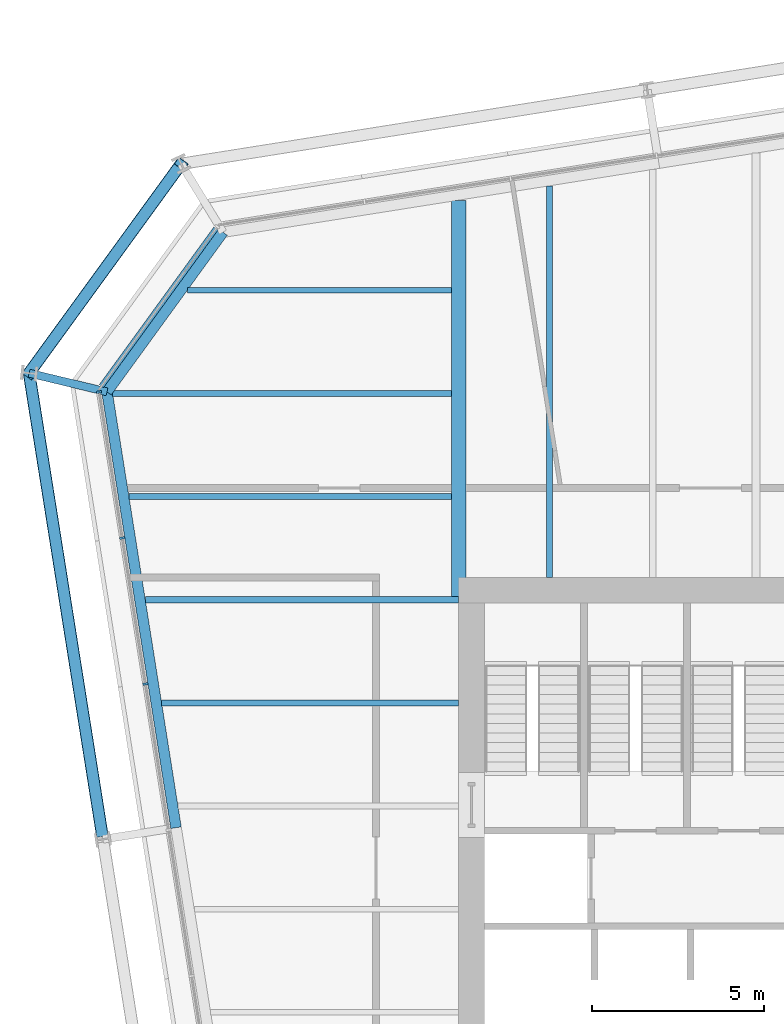
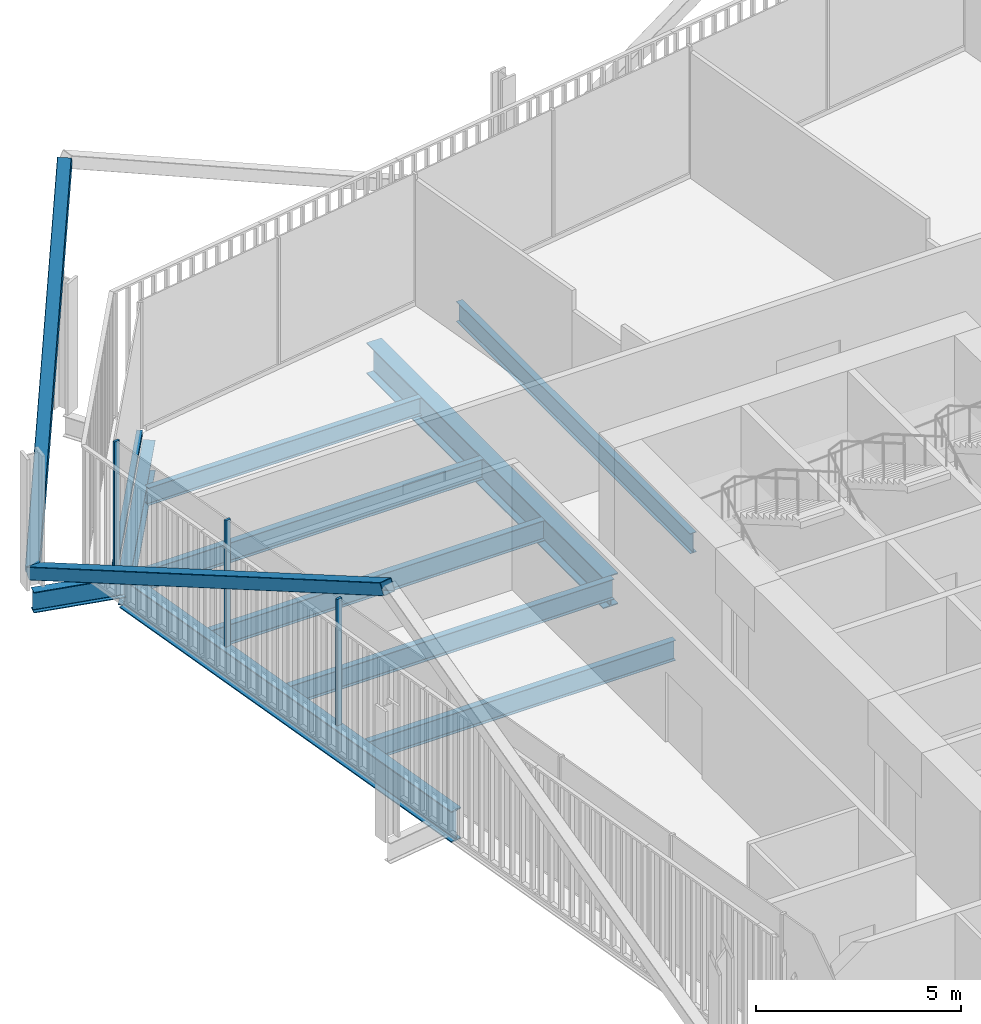
# One storey, part 10 of 22: 10 beams, 6 members, 2 elements without a shape of their own.
"""IFC4 building model written with IfcOpenShell, lengths in metres."""

from ifc_helpers import new_model, si_unit, direction, frame, origin, origin_2d, place, context, subcontext, project, spatial, rectangle, hollow_rectangle, i_section, extrude, material, layer, layer_set, material_profile, profile_set, type_object, element, aggregate, save


model = new_model("IFC4")

# Units and contexts
model_context = context("Model", 3, precision=1e-05, world=origin(), true_north=direction((0.0, 1.0)))
body_context = subcontext(model_context, "Body", "Model", "MODEL_VIEW")
ifc_project = project(units=[si_unit("LENGTHUNIT", "METRE"), si_unit("AREAUNIT", "SQUARE_METRE"), si_unit("VOLUMEUNIT", "CUBIC_METRE"), si_unit("PLANEANGLEUNIT", "RADIAN"), si_unit("MASSUNIT", "GRAM", prefix="KILO")], contexts=[model_context])

# Site, building, storey
site_placement = place(None, origin())
site = spatial("IfcSite", under=ifc_project, at=site_placement, CompositionType="ELEMENT")
building_placement = place(site_placement, origin())
building = spatial("IfcBuilding", under=site, at=building_placement, Name="Millrace Tower", CompositionType="ELEMENT")
storey_placement = place(building_placement, frame((0.0, 0.0, 152.89990234375)))
storey = spatial("IfcBuildingStorey", under=building, at=storey_placement, Name="L34", CompositionType="ELEMENT", Elevation=152.89990234375)

# Curtain wall, members
ifc_material_1 = material(Name="Aluminium and glass", Category="aluminium")
ifc_layer = layer(ifc_material_1, 0.14990234375)
ifc_layer_set = layer_set([ifc_layer], Name="Aluminium and glass")
curtain_wall_type = type_object("IfcCurtainWallType", Name="CW-1 office vision curtain wall", PredefinedType="NOTDEFINED", material=ifc_layer_set)
placement = place(storey_placement, origin())
curtain_wall_1 = element("IfcCurtainWall", 1, at=placement, inside=storey, type_object=curtain_wall_type, Name="Curtain wall C-F08 L34", PredefinedType="NOTDEFINED")
ifc_material_2 = material(Name="Aluminium", Category="aluminium")
ifc_material_profile_1 = material_profile(ifc_material_2, rectangle(XDim=0.06494140625, YDim=0.14990234375, at=origin_2d()))
ifc_profile_set_1 = profile_set([ifc_material_profile_1], Name="Aluminium")
member_type_1 = type_object("IfcMemberType", Name="CW-1 office vision curtain wall mullion", PredefinedType="MULLION", material=ifc_profile_set_1)
member_1_placement = place(storey_placement, frame((-25.106689453125, 15.041748046875, 0.14013671875), z_axis=(0.0, 0.0, 1.0), x_axis=(0.15643447328, -0.98768833929, 0.0)))
member_1 = element("IfcMember", 2, at=member_1_placement, type_object=member_type_1, Name="CW1 mullion C-F08.1", PredefinedType="MULLION", context=body_context, shape_type="SweptSolid", body=[
    extrude(rectangle(XDim=0.06494140625, YDim=0.14990234375, at=origin_2d()), origin(), (0.0, 0.0, 1.0), 3.760009765625),
])
member_2_placement = place(storey_placement, frame((-24.43408203125, 10.794677734375, 0.14013671875), z_axis=(0.0, 0.0, 1.0), x_axis=(0.15643447328, -0.98768833929, 0.0)))
member_2 = element("IfcMember", 3, at=member_2_placement, type_object=member_type_1, Name="CW1 mullion C-F08.2", PredefinedType="MULLION", context=body_context, shape_type="SweptSolid", body=[
    extrude(rectangle(XDim=0.06494140625, YDim=0.14990234375, at=origin_2d()), origin(), (0.0, 0.0, 1.0), 3.760009765625),
])
member_3_placement = place(storey_placement, frame((-23.76123046875, 6.547607421875, 0.14013671875), z_axis=(0.0, 0.0, 1.0), x_axis=(0.15643447328, -0.98768833929, 0.0)))
member_3 = element("IfcMember", 4, at=member_3_placement, type_object=member_type_1, Name="CW1 mullion C-F08.3", PredefinedType="MULLION", context=body_context, shape_type="SweptSolid", body=[
    extrude(rectangle(XDim=0.06494140625, YDim=0.14990234375, at=origin_2d()), origin(), (0.0, 0.0, 1.0), 3.760009765625),
])
aggregate(curtain_wall_1, [member_1, member_2, member_3])

# Curtain wall, member
curtain_wall_2 = element("IfcCurtainWall", 5, at=placement, inside=storey, type_object=curtain_wall_type, Name="Curtain wall C-F07 L34", PredefinedType="NOTDEFINED")
ifc_material_3 = material(Name="Aluminium", Category="aluminium")
ifc_material_profile_2 = material_profile(ifc_material_3, rectangle(XDim=0.14990234375, YDim=0.139892578125, at=origin_2d()))
ifc_profile_set_2 = profile_set([ifc_material_profile_2], Name="Aluminium")
member_type_2 = type_object("IfcMemberType", Name="CW-1 office vision curtain wall transom", PredefinedType="USERDEFINED", material=ifc_profile_set_2)
member_4_placement = place(storey_placement, frame((-21.70751953125, 19.796875, 0.070068359375), z_axis=(-0.587761915215, -0.80903394924, 0.0), x_axis=(0.80903394924, -0.587761915215, 0.0)))
member_4 = element("IfcMember", 6, at=member_4_placement, type_object=member_type_2, Name="CW1 transom C-F07.1", ObjectType="TRANSOM", PredefinedType="USERDEFINED", context=body_context, shape_type="SweptSolid", body=[
    extrude(rectangle(XDim=0.14990234375, YDim=0.139892578125, at=origin_2d()), origin(), (0.0, 0.0, 1.0), 5.6689453125),
])
aggregate(curtain_wall_2, [member_4])

# Members
ifc_material_4 = material(Name="Steel ASTM A500 Grade C", Category="steel")
ifc_material_profile_3 = material_profile(ifc_material_4, hollow_rectangle(XDim=0.355712890625, YDim=0.355712890625, WallThickness=0.015869140625, InnerFilletRadius=0.008056640625, OuterFilletRadius=0.02392578125, at=origin_2d()))
ifc_profile_set_3 = profile_set([ifc_material_profile_3], Name="Steel ASTM A500 Grade C")
member_type_3 = type_object("IfcMemberType", Name="Exoskeleton brace HSS14x14x5/8", PredefinedType="BRACE", material=ifc_profile_set_3)
member_5_placement = place(storey_placement, frame((-27.142578125, 15.5908203125, 0.400146484375), z_axis=(0.430389097037, 0.592387752691, 0.681059450866), x_axis=(-0.809020759968, 0.587780069364, 0.0)))
element("IfcMember", 7, at=member_5_placement, inside=storey, type_object=member_type_3, Name="BRC-C-L34-13", PredefinedType="BRACE", context=body_context, shape_type="SweptSolid", body=[
    extrude(hollow_rectangle(XDim=0.355712890625, YDim=0.355712890625, WallThickness=0.015869140625, InnerFilletRadius=0.008056640625, OuterFilletRadius=0.02392578125, at=origin_2d()), origin(), (0.0, 0.0, 1.0), 10.278076171875),
])
member_6_placement = place(storey_placement, frame((-27.142578125, 15.5908203125, 0.400146484375), z_axis=(0.139355372932, -0.879906554943, 0.454251620363), x_axis=(0.987689751328, 0.156425557764, 0.0)))
element("IfcMember", 8, at=member_6_placement, inside=storey, type_object=member_type_3, Name="BRC-C-L34-14", PredefinedType="BRACE", context=body_context, shape_type="SweptSolid", body=[
    extrude(hollow_rectangle(XDim=0.355712890625, YDim=0.355712890625, WallThickness=0.015869140625, InnerFilletRadius=0.008056640625, OuterFilletRadius=0.02392578125, at=origin_2d()), origin(), (0.0, 0.0, 1.0), 15.409912109375),
])

# Beams
ifc_material_5 = material(Name="Steel ASTM A992 Grade 50", Category="steel")
ifc_material_profile_4 = material_profile(ifc_material_5, i_section(OverallWidth=0.1650390625, OverallDepth=0.52587890625, WebThickness=0.0087890625, FlangeThickness=0.011474609375, FilletRadius=0.0126953125, at=origin_2d()))
ifc_profile_set_4 = profile_set([ifc_material_profile_4], Name="Steel ASTM A992 Grade 50")
beam_type_1 = type_object("IfcBeamType", Name="Floor beam W21x44", PredefinedType="JOIST", material=ifc_profile_set_4)
beam_1_placement = place(storey_placement, frame((-22.540283203125, 18.0, -0.4228515625), z_axis=(1.0, 0.0, 0.0), x_axis=(0.0, 1.0, 0.0)))
element("IfcBeam", 9, at=beam_1_placement, inside=storey, type_object=beam_type_1, Name="BM-C-L34-S1-S035", PredefinedType="JOIST", context=body_context, shape_type="SweptSolid", body=[
    extrude(i_section(OverallWidth=0.1650390625, OverallDepth=0.52587890625, WebThickness=0.0087890625, FlangeThickness=0.011474609375, FilletRadius=0.0126953125, at=origin_2d()), origin(), (0.0, 0.0, 1.0), 7.6806640625),
])
ifc_material_6 = material(Name="Steel ASTM A992 Grade 50", Category="steel")
ifc_material_profile_5 = material_profile(ifc_material_6, i_section(OverallWidth=0.177978515625, OverallDepth=0.599365234375, WebThickness=0.010009765625, FlangeThickness=0.012939453125, FilletRadius=0.012939453125, at=origin_2d()))
ifc_profile_set_5 = profile_set([ifc_material_profile_5], Name="Steel ASTM A992 Grade 50")
beam_type_2 = type_object("IfcBeamType", Name="Floor beam W24x55", PredefinedType="JOIST", material=ifc_profile_set_5)
beam_2_placement = place(storey_placement, frame((-23.28759765625, 6.0, -0.459716796875), z_axis=(1.0, 0.0, 0.0), x_axis=(0.0, 1.0, 0.0)))
element("IfcBeam", 10, at=beam_2_placement, inside=storey, type_object=beam_type_2, Name="BM-C-L34-S1-S026", PredefinedType="JOIST", context=body_context, shape_type="SweptSolid", body=[
    extrude(i_section(OverallWidth=0.177978515625, OverallDepth=0.599365234375, WebThickness=0.010009765625, FlangeThickness=0.012939453125, FilletRadius=0.012939453125, at=origin_2d()), origin(), (0.0, 0.0, 1.0), 8.6376953125),
])
beam_3_placement = place(storey_placement, frame((-23.7626953125, 9.0, -0.459716796875), z_axis=(1.0, 0.0, 0.0), x_axis=(0.0, 1.0, 0.0)))
element("IfcBeam", 11, at=beam_3_placement, inside=storey, type_object=beam_type_2, Name="BM-C-L34-S1-S029", PredefinedType="JOIST", context=body_context, shape_type="SweptSolid", body=[
    extrude(i_section(OverallWidth=0.177978515625, OverallDepth=0.599365234375, WebThickness=0.010009765625, FlangeThickness=0.012939453125, FilletRadius=0.012939453125, at=origin_2d()), origin(), (0.0, 0.0, 1.0), 9.11279296875),
])
beam_4_placement = place(storey_placement, frame((-24.23779296875, 12.0, -0.459716796875), z_axis=(1.0, 0.0, 0.0), x_axis=(0.0, 1.0, 0.0)))
element("IfcBeam", 12, at=beam_4_placement, inside=storey, type_object=beam_type_2, Name="BM-C-L34-S1-S031", PredefinedType="JOIST", context=body_context, shape_type="SweptSolid", body=[
    extrude(i_section(OverallWidth=0.177978515625, OverallDepth=0.599365234375, WebThickness=0.010009765625, FlangeThickness=0.012939453125, FilletRadius=0.012939453125, at=origin_2d()), origin(), (0.0, 0.0, 1.0), 9.378173828125),
])
beam_5_placement = place(storey_placement, frame((-24.712890625, 15.0, -0.459716796875), z_axis=(1.0, 0.0, 0.0), x_axis=(0.0, 1.0, 0.0)))
element("IfcBeam", 13, at=beam_5_placement, inside=storey, type_object=beam_type_2, Name="BM-C-L34-S1-S033", PredefinedType="JOIST", context=body_context, shape_type="SweptSolid", body=[
    extrude(i_section(OverallWidth=0.177978515625, OverallDepth=0.599365234375, WebThickness=0.010009765625, FlangeThickness=0.012939453125, FilletRadius=0.012939453125, at=origin_2d()), origin(), (0.0, 0.0, 1.0), 9.853271484375),
])
ifc_material_7 = material(Name="Steel ASTM A992 Grade 50", Category="steel")
ifc_material_profile_6 = material_profile(ifc_material_7, i_section(OverallWidth=0.1787109375, OverallDepth=0.60205078125, WebThickness=0.010986328125, FlangeThickness=0.014892578125, FilletRadius=0.0126953125, at=origin_2d()))
ifc_profile_set_6 = profile_set([ifc_material_profile_6], Name="Steel ASTM A992 Grade 50")
beam_type_3 = type_object("IfcBeamType", Name="Floor beam W24x62", PredefinedType="JOIST", material=ifc_profile_set_6)
beam_6_placement = place(storey_placement, frame((-12.0, 9.64990234375, -0.4609375), z_axis=(0.0, 1.0, 0.0), x_axis=(-1.0, 0.0, 0.0)))
element("IfcBeam", 14, at=beam_6_placement, inside=storey, type_object=beam_type_3, Name="BM-C-L34-S1-S039", PredefinedType="JOIST", context=body_context, shape_type="SweptSolid", body=[
    extrude(i_section(OverallWidth=0.1787109375, OverallDepth=0.60205078125, WebThickness=0.010986328125, FlangeThickness=0.014892578125, FilletRadius=0.0126953125, at=origin_2d()), origin(), (0.0, 0.0, 1.0), 11.39111328125),
])
ifc_material_8 = material(Name="Steel ASTM A992 Grade 50", Category="steel")
ifc_material_profile_7 = material_profile(ifc_material_8, i_section(OverallWidth=0.419189453125, OverallDepth=0.927001953125, WebThickness=0.019287109375, FlangeThickness=0.031982421875, FilletRadius=0.024169921875, at=origin_2d()))
ifc_profile_set_7 = profile_set([ifc_material_profile_7], Name="Steel ASTM A992 Grade 50")
beam_type_4 = type_object("IfcBeamType", Name="Girder short span W36x231", PredefinedType="BEAM", material=ifc_profile_set_7)
beam_7_placement = place(storey_placement, frame((-14.64990234375, 9.090087890625, -0.62353515625), z_axis=(0.0, 1.0, 0.0), x_axis=(-1.0, 0.0, 0.0)))
element("IfcBeam", 15, at=beam_7_placement, inside=storey, type_object=beam_type_4, Name="BM-C-L34-S1-G057", PredefinedType="BEAM", context=body_context, shape_type="SweptSolid", body=[
    extrude(i_section(OverallWidth=0.419189453125, OverallDepth=0.927001953125, WebThickness=0.019287109375, FlangeThickness=0.031982421875, FilletRadius=0.024169921875, at=origin_2d()), origin(), (0.0, 0.0, 1.0), 11.523193359375),
])
ifc_material_9 = material(Name="Steel ASTM A992 Grade 50", Category="steel")
ifc_material_profile_8 = material_profile(ifc_material_9, i_section(OverallWidth=0.23046875, OverallDepth=0.6171875, WebThickness=0.01318359375, FlangeThickness=0.022216796875, FilletRadius=0.012939453125, at=origin_2d()))
ifc_profile_set_8 = profile_set([ifc_material_profile_8], Name="Steel ASTM A992 Grade 50")
beam_type_5 = type_object("IfcBeamType", Name="Link beam W24x94", PredefinedType="BEAM", material=ifc_profile_set_8)
beam_8_placement = place(storey_placement, frame((-24.8759765625, 15.046630859375, -0.468505859375), z_axis=(-0.972367333652, 0.233456138164, 0.0), x_axis=(-0.233456138164, -0.972367333652, 0.0)))
element("IfcBeam", 16, at=beam_8_placement, inside=storey, type_object=beam_type_5, Name="LNK-C-L34-S1-04", PredefinedType="BEAM", context=body_context, shape_type="SweptSolid", body=[
    extrude(i_section(OverallWidth=0.23046875, OverallDepth=0.6171875, WebThickness=0.01318359375, FlangeThickness=0.022216796875, FilletRadius=0.012939453125, at=origin_2d()), origin(), (0.0, 0.0, 1.0), 2.3310546875),
])
ifc_material_10 = material(Name="Steel ASTM A992 Grade 50", Category="steel")
ifc_material_profile_9 = material_profile(ifc_material_10, i_section(OverallWidth=0.307373046875, OverallDepth=0.927001953125, WebThickness=0.01953125, FlangeThickness=0.031982421875, FilletRadius=0.01904296875, at=origin_2d()))
ifc_profile_set_9 = profile_set([ifc_material_profile_9], Name="Steel ASTM A992 Grade 50")
beam_type_6 = type_object("IfcBeamType", Name="Ring beam medium span W36x194", PredefinedType="SPANDREL", material=ifc_profile_set_9)
beam_9_placement = place(storey_placement, frame((-22.867919921875, 2.368408203125, -0.62353515625), z_axis=(-0.156436246498, 0.987688058438, 0.0), x_axis=(-0.987688058438, -0.156436246498, 0.0)))
element("IfcBeam", 17, at=beam_9_placement, inside=storey, type_object=beam_type_6, Name="RNG-C-L34-S1-03", PredefinedType="SPANDREL", context=body_context, shape_type="SweptSolid", body=[
    extrude(i_section(OverallWidth=0.307373046875, OverallDepth=0.927001953125, WebThickness=0.01953125, FlangeThickness=0.031982421875, FilletRadius=0.01904296875, at=origin_2d()), origin(), (0.0, 0.0, 1.0), 12.836181640625),
])
ifc_material_11 = material(Name="Steel ASTM A992 Grade 50", Category="steel")
ifc_material_profile_10 = material_profile(ifc_material_11, i_section(OverallWidth=0.307373046875, OverallDepth=0.927001953125, WebThickness=0.01953125, FlangeThickness=0.031982421875, FilletRadius=0.01904296875, at=origin_2d()))
ifc_profile_set_10 = profile_set([ifc_material_profile_10], Name="Steel ASTM A992 Grade 50")
beam_type_7 = type_object("IfcBeamType", Name="Ring beam short span W36x194", PredefinedType="SPANDREL", material=ifc_profile_set_10)
beam_10_placement = place(storey_placement, frame((-24.8759765625, 15.046630859375, -0.62353515625), z_axis=(0.587787348381, 0.809015471473, 0.0), x_axis=(-0.809015471473, 0.587787348381, 0.0)))
element("IfcBeam", 18, at=beam_10_placement, inside=storey, type_object=beam_type_7, Name="RNG-C-L34-S1-04", PredefinedType="SPANDREL", context=body_context, shape_type="SweptSolid", body=[
    extrude(i_section(OverallWidth=0.307373046875, OverallDepth=0.927001953125, WebThickness=0.01953125, FlangeThickness=0.031982421875, FilletRadius=0.01904296875, at=origin_2d()), origin(), (0.0, 0.0, 1.0), 5.741943359375),
])

save(model, "model.ifc")
